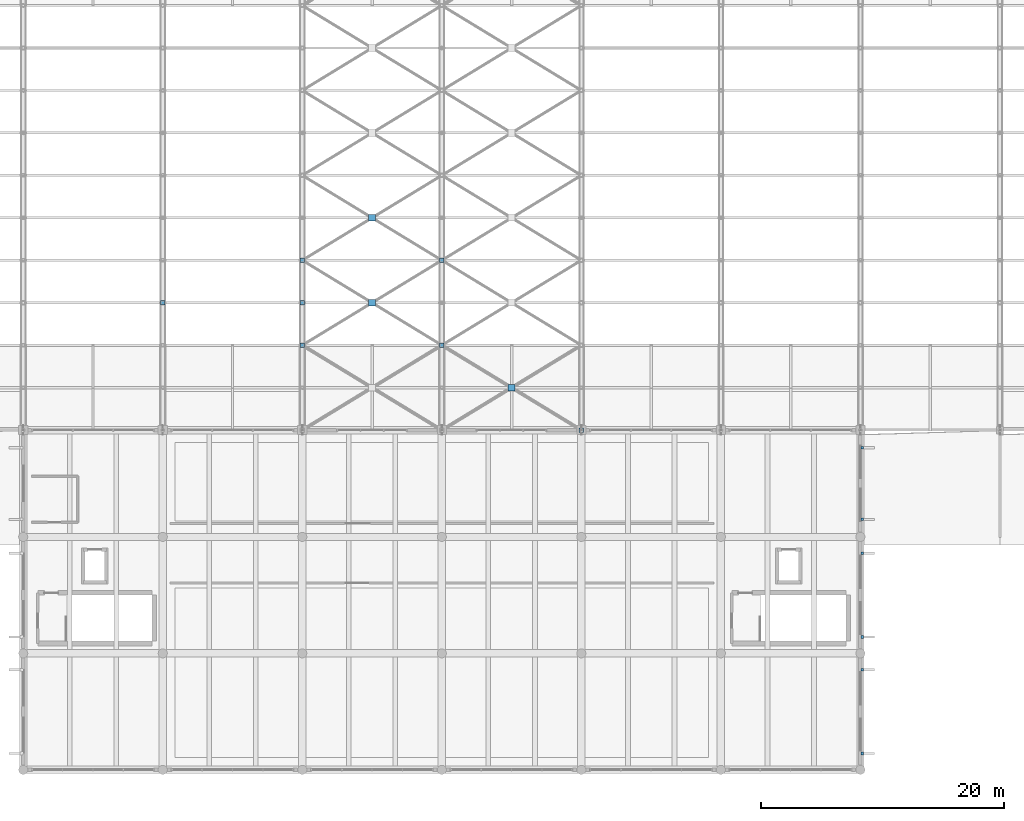
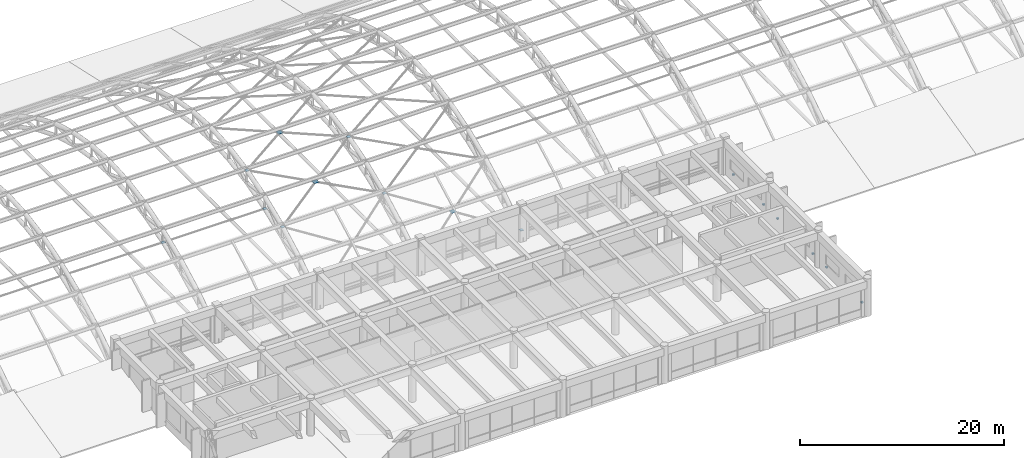
# One storey, part 146 of 154: 16 discrete accessories.
"""IFC4 building model written with IfcOpenShell, lengths in metres."""

from ifc_helpers import new_model, si_unit, direction, frame, origin, origin_2d, place, context, subcontext, project, spatial, rectangle, extrude, material, type_object, element, save


model = new_model("IFC4")

# Units and contexts
model_context = context("Model", 3, precision=1e-05, world=origin(), true_north=direction((0.0, 1.0)))
body_context = subcontext(model_context, "Body", "Model", "MODEL_VIEW")
ifc_project = project(units=[si_unit("LENGTHUNIT", "METRE"), si_unit("AREAUNIT", "SQUARE_METRE"), si_unit("VOLUMEUNIT", "CUBIC_METRE"), si_unit("PLANEANGLEUNIT", "RADIAN"), si_unit("MASSUNIT", "GRAM", prefix="KILO")], contexts=[model_context])

# Site, building, storey
site_placement = place(None, origin())
site = spatial("IfcSite", under=ifc_project, at=site_placement, CompositionType="ELEMENT")
building_placement = place(site_placement, origin())
building = spatial("IfcBuilding", under=site, at=building_placement, Name="Ologun Quay Terminus", CompositionType="ELEMENT")
storey_placement = place(building_placement, frame((0.0, 0.0, 13.800048828125)))
storey = spatial("IfcBuildingStorey", under=building, at=storey_placement, Name="L03", CompositionType="ELEMENT", Elevation=13.800048828125)

# Discrete accessories
ifc_material_1 = material(Name="Steel S355", Category="steel")
discrete_accessory_type_1 = type_object("IfcDiscreteAccessoryType", Name="Brace & Strut End Gusset Connection Plate 360x360x20", PredefinedType="BRACKET", material=ifc_material_1)
for number, where, z_axis, x_axis, name in (
    (1, (69.0, 46.5, 5.419921875), (0.0, 0.0, 1.0), (1.0, 0.0, 0.0), "GUS-END Collector End Gusset B6-K3-E"),
    (2, (80.5, 46.5, 5.419921875), (0.0, 0.0, 1.0), (1.0, 0.0, 0.0), "GUS-END Collector End Gusset B7-K3-E"),
    (3, (92.0, 43.0, 5.36767578125), (0.0, 0.0, 1.0), (1.0, 0.0, 0.0), "GUS-END Wind Brace End Gusset B8-K0-2"),
    (4, (80.5, 43.0, 5.36767578125), (0.0, 0.0, 1.0), (1.0, 0.0, 0.0), "GUS-END Wind Brace End Gusset B8-K0-3"),
    (5, (92.0, 50.0, 7.874267578125), (0.0, 0.0, 1.0), (1.0, 0.0, 0.0), "GUS-END Wind Brace End Gusset B8-K2-2"),
    (6, (80.5, 50.0, 7.874267578125), (0.0, 0.0, 1.0), (1.0, 0.0, 0.0), "GUS-END Wind Brace End Gusset B8-K2-3"),
    (7, (103.5, 36.0, 1.18994140625), (0.0, 0.0, 1.0), (1.0, 0.0, 0.0), "GUS-END Wind Brace End Gusset B9-K0-4"),
):
    element("IfcDiscreteAccessory", number, at=place(storey_placement, frame(where, z_axis=z_axis, x_axis=x_axis)), inside=storey, type_object=discrete_accessory_type_1, Name=name, PredefinedType="BRACKET", context=body_context, shape_type="SweptSolid", body=[
        extrude(rectangle(XDim=0.360107421875, YDim=0.360107421875, at=origin_2d()), origin(), (0.0, 0.0, 1.0), 0.02001953125),
    ])
ifc_material_2 = material(Name="Steel S355", Category="steel")
discrete_accessory_type_2 = type_object("IfcDiscreteAccessoryType", Name="Solar Fin Stainless Support Bracket", PredefinedType="BRACKET", material=ifc_material_2)
for number, where, z_axis, x_axis, name in (
    (8, (126.639892578125, 9.344970703125, 0.52001953125), (0.0, 0.0, 1.0), (1.0, 0.0, 0.0), "BRK-01 Solar Fin Bracket WEW-SA-L03-1-7-1"),
    (9, (126.639892578125, 16.2548828125, 0.52001953125), (0.0, 0.0, 1.0), (1.0, 0.0, 0.0), "BRK-01 Solar Fin Bracket WEW-SA-L03-1-7-2"),
    (10, (126.639892578125, 18.945068359375, 0.52001953125), (0.0, 0.0, 1.0), (1.0, 0.0, 0.0), "BRK-01 Solar Fin Bracket WEW-SA-L03-1-8-1"),
    (11, (126.639892578125, 25.85498046875, 0.52001953125), (0.0, 0.0, 1.0), (1.0, 0.0, 0.0), "BRK-01 Solar Fin Bracket WEW-SA-L03-1-8-2"),
    (12, (126.639892578125, 28.64501953125, 0.52001953125), (0.0, 0.0, 1.0), (1.0, 0.0, 0.0), "BRK-01 Solar Fin Bracket WEW-SA-L03-1-9-1"),
    (13, (126.639892578125, 34.554931640625, 0.52001953125), (0.0, 0.0, 1.0), (1.0, 0.0, 0.0), "BRK-01 Solar Fin Bracket WEW-SA-L03-1-9-2"),
):
    element("IfcDiscreteAccessory", number, at=place(storey_placement, frame(where, z_axis=z_axis, x_axis=x_axis)), inside=storey, type_object=discrete_accessory_type_2, Name=name, PredefinedType="BRACKET", context=body_context, shape_type="SweptSolid", body=[
        extrude(rectangle(XDim=0.219970703125, YDim=0.219970703125, at=origin_2d()), origin(), (0.0, 0.0, 1.0), 0.159912109375),
    ])
ifc_material_3 = material(Name="Steel S355", Category="steel")
discrete_accessory_type_3 = type_object("IfcDiscreteAccessoryType", Name="X-Brace Central Gusset Node Plate 560x560x20", PredefinedType="BRACKET", material=ifc_material_3)
for number, where, z_axis, x_axis, name in (
    (14, (86.25, 46.5, 6.62109375), (0.0, 0.0, 1.0), (1.0, 0.0, 0.0), "GUS-XB X-Brace Crossing Node Plate B8-K2"),
    (15, (86.25, 53.5, 8.292236328125), (0.0, 0.0, 1.0), (1.0, 0.0, 0.0), "GUS-XB X-Brace Crossing Node Plate B8-K4"),
    (16, (97.75, 39.5, 3.27880859375), (0.0, 0.0, 1.0), (1.0, 0.0, 0.0), "GUS-XB X-Brace Crossing Node Plate B9-K0"),
):
    element("IfcDiscreteAccessory", number, at=place(storey_placement, frame(where, z_axis=z_axis, x_axis=x_axis)), inside=storey, type_object=discrete_accessory_type_3, Name=name, PredefinedType="BRACKET", context=body_context, shape_type="SweptSolid", body=[
        extrude(rectangle(XDim=0.56005859375, YDim=0.56005859375, at=origin_2d()), origin(), (0.0, 0.0, 1.0), 0.02001953125),
    ])

save(model, "model.ifc")
